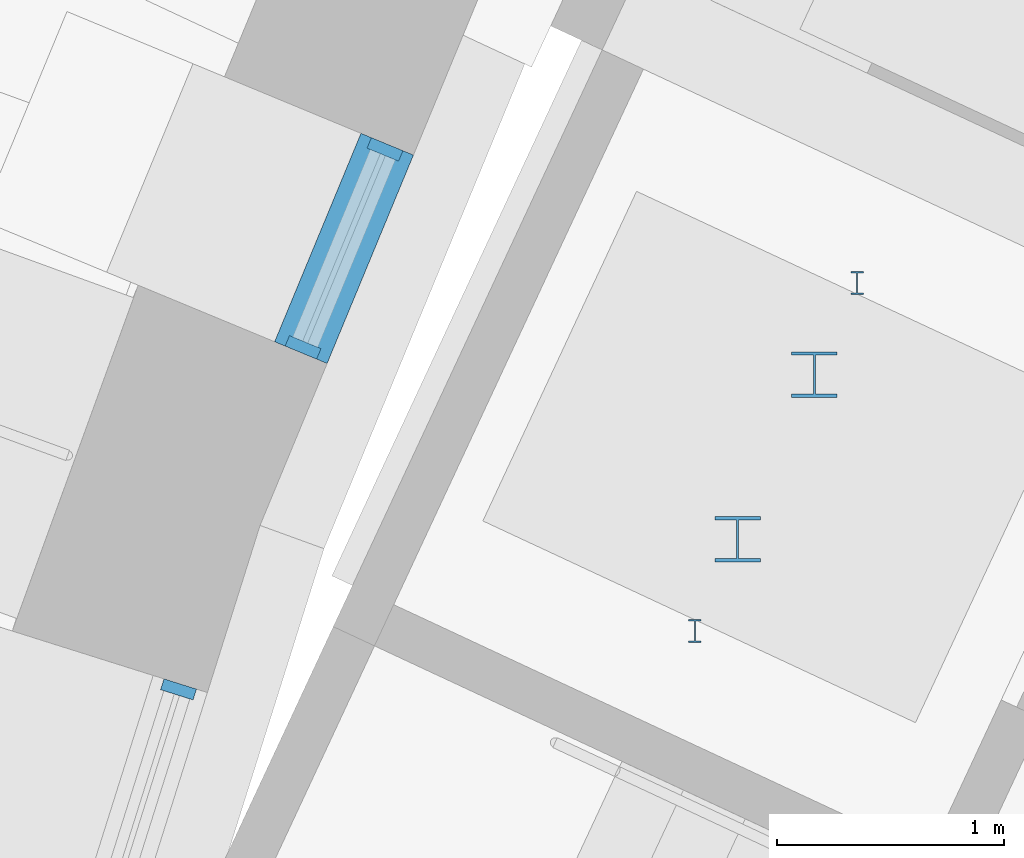
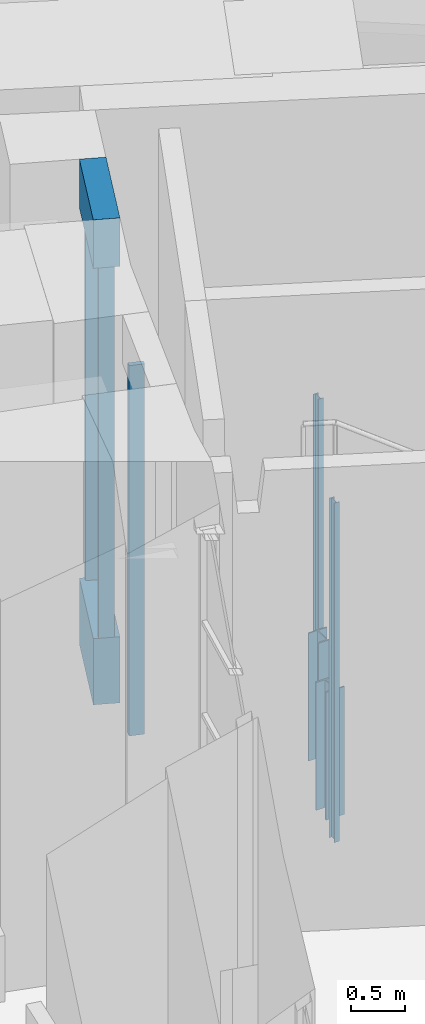
# One storey, part 22 of 65: 7 members, 2 beams, 2 elements without a shape of their own.
"""IFC4 building model written with IfcOpenShell, lengths in metres."""

from ifc_helpers import new_model, si_unit, direction, frame, origin, origin_2d, place, context, subcontext, project, spatial, rectangle, i_section, extrude, material, layer, layer_set, material_profile, profile_set, type_object, element, aggregate, save


model = new_model("IFC4")

# Units and contexts
model_context = context("Model", 3, precision=1e-05, world=origin(), true_north=direction((0.0, 1.0)))
body_context = subcontext(model_context, "Body", "Model", "MODEL_VIEW")
ifc_project = project(units=[si_unit("LENGTHUNIT", "METRE"), si_unit("AREAUNIT", "SQUARE_METRE"), si_unit("VOLUMEUNIT", "CUBIC_METRE"), si_unit("PLANEANGLEUNIT", "RADIAN"), si_unit("MASSUNIT", "GRAM", prefix="KILO")], contexts=[model_context])

# Site, building, storey
site_placement = place(None, origin())
site = spatial("IfcSite", under=ifc_project, at=site_placement, CompositionType="ELEMENT")
building_placement = place(site_placement, origin())
building = spatial("IfcBuilding", under=site, at=building_placement, Name="Volute Hill Aquarium", CompositionType="ELEMENT")
storey_placement = place(building_placement, frame((0.0, 0.0, -5.5)))
storey = spatial("IfcBuildingStorey", under=building, at=storey_placement, Name="L00", CompositionType="ELEMENT", Elevation=-5.5)

# Curtain wall, members
ifc_material_1 = material(Name="Aluminium", Category="aluminium")
ifc_layer_1 = layer(ifc_material_1, 0.25)
ifc_layer_set_1 = layer_set([ifc_layer_1], Name="Curtain wall niche S1 module 993")
curtain_wall_type_1 = type_object("IfcCurtainWallType", Name="Curtain wall niche S1 module 993", PredefinedType="NOTDEFINED", material=ifc_layer_set_1)
curtain_wall_1_placement = place(storey_placement, origin())
curtain_wall_1 = element("IfcCurtainWall", 1, at=curtain_wall_1_placement, inside=storey, type_object=curtain_wall_type_1, Name="Curtain wall CW S1 L00 1", PredefinedType="NOTDEFINED")
ifc_material_2 = material(Name="Aluminium", Category="aluminium")
ifc_material_profile_1 = material_profile(ifc_material_2, rectangle(XDim=0.14990234375, YDim=0.050048828125, at=origin_2d()), Name="Curtain wall mullion S1 50x150")
ifc_profile_set_1 = profile_set([ifc_material_profile_1], Name="Aluminium")
member_type_1 = type_object("IfcMemberType", Name="Curtain wall mullion S1 50x150", PredefinedType="MULLION", material=ifc_profile_set_1)
member_1_placement = place(storey_placement, frame((-28.9091796875, 12.37646484375, 0.75), z_axis=(0.0, 0.0, 1.0), x_axis=(0.923885219671, -0.382669702059, 0.0)))
member_1 = element("IfcMember", 2, at=member_1_placement, type_object=member_type_1, Name="CW mullion 1", PredefinedType="MULLION", context=body_context, shape_type="SweptSolid", body=[
    extrude(rectangle(XDim=0.14990234375, YDim=0.050048828125, at=origin_2d()), origin(), (0.0, 0.0, 1.0), 4.199951171875),
])
member_2_placement = place(storey_placement, frame((-29.269775390625, 11.50537109375, 0.75), z_axis=(0.0, 0.0, 1.0), x_axis=(0.923885219671, -0.382669702059, 0.0)))
member_2 = element("IfcMember", 3, at=member_2_placement, type_object=member_type_1, Name="CW mullion 2", PredefinedType="MULLION", context=body_context, shape_type="SweptSolid", body=[
    extrude(rectangle(XDim=0.14990234375, YDim=0.050048828125, at=origin_2d()), origin(), (0.0, 0.0, 1.0), 4.199951171875),
])
aggregate(curtain_wall_1, [member_1, member_2])

# Curtain wall, member
ifc_material_3 = material(Name="Aluminium", Category="aluminium")
ifc_layer_2 = layer(ifc_material_3, 0.25)
ifc_layer_set_2 = layer_set([ifc_layer_2], Name="Curtain wall niche S1 module 1193")
curtain_wall_type_2 = type_object("IfcCurtainWallType", Name="Curtain wall niche S1 module 1193", PredefinedType="NOTDEFINED", material=ifc_layer_set_2)
curtain_wall_2_placement = place(storey_placement, origin())
curtain_wall_2 = element("IfcCurtainWall", 4, at=curtain_wall_2_placement, inside=storey, type_object=curtain_wall_type_2, Name="Curtain wall CW S1 L00 2", PredefinedType="NOTDEFINED")
member_3_placement = place(storey_placement, frame((-29.817626953125, 10.00048828125, 0.75), z_axis=(0.0, 0.0, 1.0), x_axis=(0.953718126577, -0.300702070227, 0.0)))
member_3 = element("IfcMember", 5, at=member_3_placement, type_object=member_type_1, Name="CW mullion 1", PredefinedType="MULLION", context=body_context, shape_type="SweptSolid", body=[
    extrude(rectangle(XDim=0.14990234375, YDim=0.050048828125, at=origin_2d()), origin(), (0.0, 0.0, 1.0), 4.199951171875),
])
aggregate(curtain_wall_2, [member_3])

# Members
ifc_material_4 = material(Name="Steel S355", Category="steel")
ifc_material_profile_2 = material_profile(ifc_material_4, i_section(OverallWidth=0.199951171875, OverallDepth=0.199951171875, WebThickness=0.009033203125, FlangeThickness=0.014892578125, at=origin_2d()), Name="HEB 200")
ifc_profile_set_2 = profile_set([ifc_material_profile_2], Name="Steel S355")
member_type_2 = type_object("IfcMemberType", Name="Lift buffer HEB 200", PredefinedType="POST", material=ifc_profile_set_2)
for number, where, z_axis, x_axis, name in (
    (6, (-27.019775390625, 11.3857421875, -1.39990234375), (0.0, 0.0, 1.0), (1.0, 0.0, 0.0), "LB-S1-A 1"),
    (7, (-27.35791015625, 10.66064453125, -1.39990234375), (0.0, 0.0, 1.0), (1.0, 0.0, 0.0), "LB-S1-A 2"),
):
    element("IfcMember", number, at=place(storey_placement, frame(where, z_axis=z_axis, x_axis=x_axis)), inside=storey, type_object=member_type_2, Name=name, PredefinedType="POST", context=body_context, shape_type="SweptSolid", body=[
        extrude(i_section(OverallWidth=0.199951171875, OverallDepth=0.199951171875, WebThickness=0.009033203125, FlangeThickness=0.014892578125, at=origin_2d()), origin(), (0.0, 0.0, 1.0), 1.449951171875),
    ])
ifc_material_5 = material(Name="Steel S355", Category="steel")
ifc_material_profile_3 = material_profile(ifc_material_5, i_section(OverallWidth=0.054931640625, OverallDepth=0.10009765625, WebThickness=0.004150390625, FlangeThickness=0.005615234375, at=origin_2d()), Name="IPE 100")
ifc_profile_set_3 = profile_set([ifc_material_profile_3], Name="Steel S355")
member_type_3 = type_object("IfcMemberType", Name="Lift guide rail IPE 100", PredefinedType="POST", material=ifc_profile_set_3)
for number, where, z_axis, x_axis, name in (
    (8, (-26.83154296875, 11.7890625, -1.39990234375), (0.0, 0.0, 1.0), (1.0, 0.0, 0.0), "LR-S1-A 1"),
    (9, (-27.5458984375, 10.25732421875, -1.39990234375), (0.0, 0.0, 1.0), (1.0, 0.0, 0.0), "LR-S1-A 2"),
):
    element("IfcMember", number, at=place(storey_placement, frame(where, z_axis=z_axis, x_axis=x_axis)), inside=storey, type_object=member_type_3, Name=name, PredefinedType="POST", context=body_context, shape_type="SweptSolid", body=[
        extrude(i_section(OverallWidth=0.054931640625, OverallDepth=0.10009765625, WebThickness=0.004150390625, FlangeThickness=0.005615234375, at=origin_2d()), origin(), (0.0, 0.0, 1.0), 3.849853515625),
    ])

# Beams
ifc_material_6 = material(Name="Concrete C35/45", Category="concrete")
ifc_material_profile_4 = material_profile(ifc_material_6, rectangle(XDim=0.25, YDim=0.550048828125, at=origin_2d()), Name="RC beam 250x550")
ifc_profile_set_4 = profile_set([ifc_material_profile_4], Name="Concrete C35/45")
beam_type_1 = type_object("IfcBeamType", Name="Niche head beam RC 250x550 C35/45", PredefinedType="BEAM", material=ifc_profile_set_4)
beam_1_placement = place(storey_placement, frame((-28.8994140625, 12.3994140625, 5.22509765625), z_axis=(-0.382728331332, -0.923860933472, 0.0), x_axis=(0.923860933472, -0.382728331332, 0.0)))
element("IfcBeam", 10, at=beam_1_placement, inside=storey, type_object=beam_type_1, Name="Niche head beam OWB S1 L00 1", PredefinedType="BEAM", context=body_context, shape_type="SweptSolid", body=[
    extrude(rectangle(XDim=0.25, YDim=0.550048828125, at=origin_2d()), origin(), (0.0, 0.0, 1.0), 0.99267578125),
])
ifc_material_7 = material(Name="Concrete C35/45", Category="concrete")
ifc_material_profile_5 = material_profile(ifc_material_7, rectangle(XDim=0.25, YDim=0.75, at=origin_2d()), Name="RC beam 250x750")
ifc_profile_set_5 = profile_set([ifc_material_profile_5], Name="Concrete C35/45")
beam_type_2 = type_object("IfcBeamType", Name="Niche sill beam RC 250x750 C35/45", PredefinedType="BEAM", material=ifc_profile_set_5)
beam_2_placement = place(storey_placement, frame((-28.8994140625, 12.3994140625, 0.375), z_axis=(-0.382728331332, -0.923860933472, 0.0), x_axis=(0.923860933472, -0.382728331332, 0.0)))
element("IfcBeam", 11, at=beam_2_placement, inside=storey, type_object=beam_type_2, Name="Niche sill beam OWB S1 L00 1", PredefinedType="BEAM", context=body_context, shape_type="SweptSolid", body=[
    extrude(rectangle(XDim=0.25, YDim=0.75, at=origin_2d()), origin(), (0.0, 0.0, 1.0), 0.99267578125),
])

save(model, "model.ifc")
